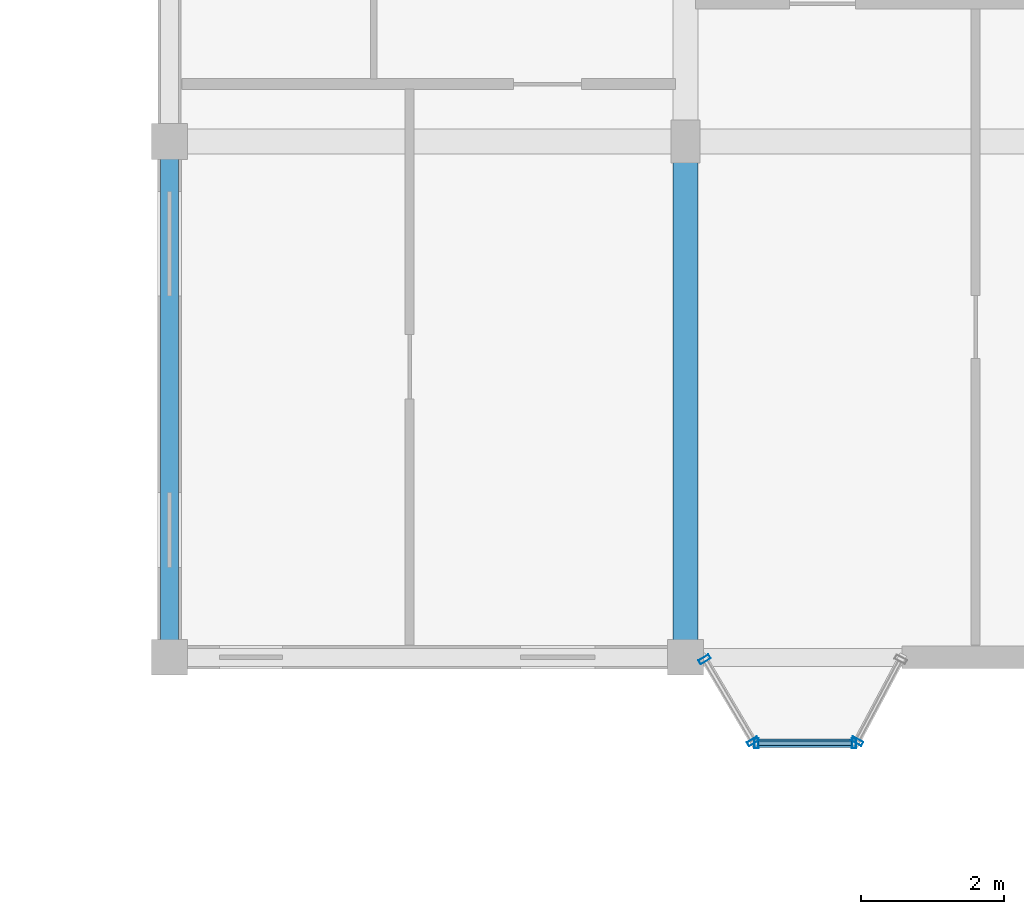
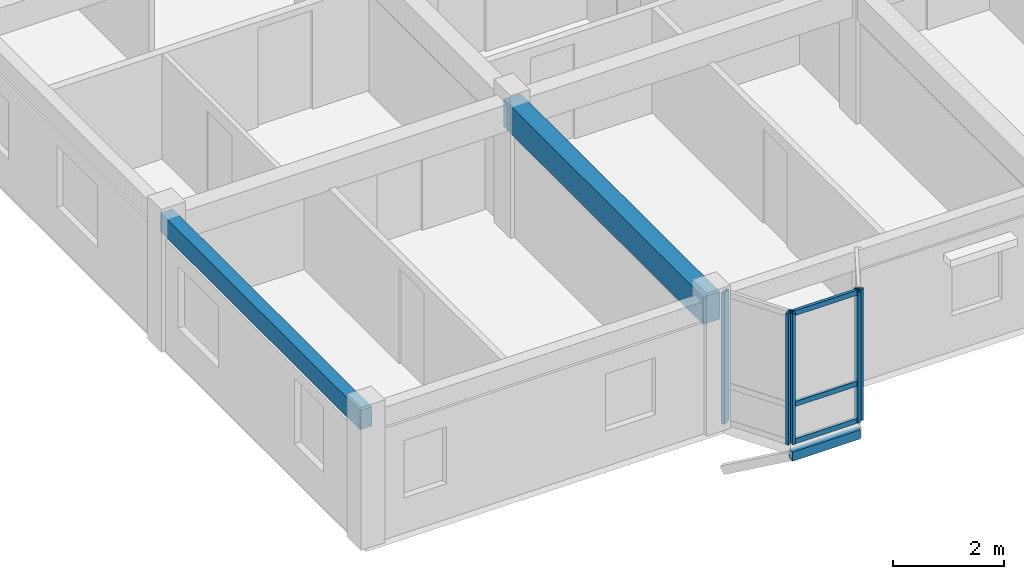
# One storey, part 28 of 70: 9 members, 2 beams, 3 elements without a shape of their own.
"""IFC4 building model written with IfcOpenShell, lengths in metres."""

from ifc_helpers import new_model, si_unit, direction, frame, origin, origin_2d, place, context, subcontext, project, spatial, rectangle, hollow_rectangle, extrude, material, layer, layer_set, material_profile, profile_set, type_object, element, aggregate, save


model = new_model("IFC4")

# Units and contexts
model_context = context("Model", 3, precision=1e-05, world=origin(), true_north=direction((0.0, 1.0)))
body_context = subcontext(model_context, "Body", "Model", "MODEL_VIEW")
ifc_project = project(units=[si_unit("LENGTHUNIT", "METRE"), si_unit("AREAUNIT", "SQUARE_METRE"), si_unit("VOLUMEUNIT", "CUBIC_METRE"), si_unit("PLANEANGLEUNIT", "RADIAN"), si_unit("MASSUNIT", "GRAM", prefix="KILO"), si_unit("THERMODYNAMICTEMPERATUREUNIT", "KELVIN"), si_unit("POWERUNIT", "WATT")], contexts=[model_context])

# Site, building, storey
site_placement = place(None, origin())
site = spatial("IfcSite", under=ifc_project, at=site_placement, CompositionType="ELEMENT")
building_placement = place(site_placement, origin())
building = spatial("IfcBuilding", under=site, at=building_placement, Name="Tavuni Mirador Residences", CompositionType="ELEMENT")
storey_placement = place(building_placement, frame((0.0, 0.0, 23.39990234375)))
storey = spatial("IfcBuildingStorey", under=building, at=storey_placement, Name="L07", CompositionType="ELEMENT", Elevation=23.39990234375)

# Beams
ifc_material_1 = material(Name="Precast concrete C40/50", Category="concrete")
ifc_material_profile_1 = material_profile(ifc_material_1, rectangle(XDim=0.35009765625, YDim=0.60009765625, at=origin_2d()), Name="PC 350x600", Category="concrete")
ifc_profile_set_1 = profile_set([ifc_material_profile_1], Name="Precast concrete C40/50")
beam_type_1 = type_object("IfcBeamType", Name="BT-B600", PredefinedType="BEAM", material=ifc_profile_set_1)
beam_1_placement = place(storey_placement, frame((18.0, 144.0, 2.585205078125), z_axis=(0.0, 1.0, 0.0), x_axis=(-1.0, 0.0, 0.0)))
element("IfcBeam", 1, at=beam_1_placement, inside=storey, type_object=beam_type_1, Name="BMY-BLK-C-L07-01-00", PredefinedType="BEAM", context=body_context, shape_type="SweptSolid", body=[
    extrude(rectangle(XDim=0.35009765625, YDim=0.60009765625, at=origin_2d()), origin(), (0.0, 0.0, 1.0), 7.199951171875),
])
ifc_material_profile_2 = material_profile(ifc_material_1, rectangle(XDim=0.25, YDim=0.419921875, at=origin_2d()), Name="PC 250x420", Category="concrete")
ifc_profile_set_2 = profile_set([ifc_material_profile_2], Name="Precast concrete C40/50")
beam_type_2 = type_object("IfcBeamType", Name="BT-SP420", PredefinedType="SPANDREL", material=ifc_profile_set_2)
beam_2_placement = place(storey_placement, frame((10.800048828125, 144.0, 2.675048828125), z_axis=(0.0, 1.0, 0.0), x_axis=(-1.0, 0.0, 0.0)))
element("IfcBeam", 2, at=beam_2_placement, inside=storey, type_object=beam_type_2, Name="BMY-BLK-C-L07-00-00", PredefinedType="SPANDREL", context=body_context, shape_type="SweptSolid", body=[
    extrude(rectangle(XDim=0.25, YDim=0.419921875, at=origin_2d()), origin(), (0.0, 0.0, 1.0), 7.199951171875),
])

# Curtain wall, members
ifc_material_2 = material(Name="Anodised aluminium", Category="aluminium")
ifc_layer_1 = layer(ifc_material_2, 0.1650390625, Name="Anodised aluminium", Category="aluminium")
ifc_layer_set_1 = layer_set([ifc_layer_1], Name="Anodised aluminium")
curtain_wall_type_1 = type_object("IfcCurtainWallType", Name="CWT-MIR-A", PredefinedType="NOTDEFINED", material=ifc_layer_set_1)
curtain_wall_1_placement = place(storey_placement, origin())
curtain_wall_1 = element("IfcCurtainWall", 3, at=curtain_wall_1_placement, inside=storey, type_object=curtain_wall_type_1, Name="CW-MIR-C-S1-L07-MF", PredefinedType="NOTDEFINED")
ifc_material_profile_3 = material_profile(ifc_material_2, hollow_rectangle(XDim=0.06005859375, YDim=0.139892578125, WallThickness=0.00390625, at=origin_2d()), Name="ALU 60x140x4.0", Category="aluminium")
ifc_profile_set_3 = profile_set([ifc_material_profile_3], Name="Anodised aluminium")
member_type_1 = type_object("IfcMemberType", Name="CWM-140", PredefinedType="MULLION", material=ifc_profile_set_3)
member_1_placement = place(storey_placement, frame((18.989990234375, 142.800048828125, 0.0), z_axis=(0.0, 0.0, 1.0), x_axis=(1.0, 0.0, 0.0)))
member_1 = element("IfcMember", 4, at=member_1_placement, type_object=member_type_1, Name="CW-01 mullion 1", PredefinedType="MULLION", context=body_context, shape_type="SweptSolid", body=[
    extrude(hollow_rectangle(XDim=0.06005859375, YDim=0.139892578125, WallThickness=0.00390625, at=origin_2d()), origin(), (0.0, 0.0, 1.0), 2.885009765625),
])
member_2_placement = place(storey_placement, frame((20.35009765625, 142.800048828125, 0.0), z_axis=(0.0, 0.0, 1.0), x_axis=(1.0, 0.0, 0.0)))
member_2 = element("IfcMember", 5, at=member_2_placement, type_object=member_type_1, Name="CW-01 mullion 2", PredefinedType="MULLION", context=body_context, shape_type="SweptSolid", body=[
    extrude(hollow_rectangle(XDim=0.06005859375, YDim=0.139892578125, WallThickness=0.00390625, at=origin_2d()), origin(), (0.0, 0.0, 1.0), 2.885009765625),
])

ifc_layer_2 = layer(ifc_material_2, 0.159912109375, Name="Anodised aluminium", Category="aluminium")
ifc_layer_set_2 = layer_set([ifc_layer_2], Name="Anodised aluminium")
curtain_wall_type_2 = type_object("IfcCurtainWallType", Name="CWT-MIR-D", PredefinedType="NOTDEFINED", material=ifc_layer_set_2)
curtain_wall_2_placement = place(storey_placement, origin())
curtain_wall_2 = element("IfcCurtainWall", 6, at=curtain_wall_2_placement, inside=storey, type_object=curtain_wall_type_2, Name="CW-MIR-C-S1-L07-M1", PredefinedType="NOTDEFINED")
ifc_material_profile_4 = material_profile(ifc_material_2, hollow_rectangle(XDim=0.06494140625, YDim=0.1650390625, WallThickness=0.00439453125, at=origin_2d()), Name="ALU 65x165x4.5", Category="aluminium")
ifc_profile_set_4 = profile_set([ifc_material_profile_4], Name="Anodised aluminium")
member_type_2 = type_object("IfcMemberType", Name="CWM-165", PredefinedType="MULLION", material=ifc_profile_set_4)
member_3_placement = place(storey_placement, frame((18.2666015625, 143.971923828125, 0.0), z_axis=(0.0, 0.0, 1.0), x_axis=(0.509212491254, -0.860640830284, 0.0)))
member_3 = element("IfcMember", 7, at=member_3_placement, type_object=member_type_2, Name="CW-04 mullion 1", PredefinedType="MULLION", context=body_context, shape_type="SweptSolid", body=[
    extrude(hollow_rectangle(XDim=0.06494140625, YDim=0.1650390625, WallThickness=0.00439453125, at=origin_2d()), origin(), (0.0, 0.0, 1.0), 2.885009765625),
])
member_4_placement = place(storey_placement, frame((18.943359375, 142.827880859375, 0.0), z_axis=(0.0, 0.0, 1.0), x_axis=(0.509212491254, -0.860640830284, 0.0)))
member_4 = element("IfcMember", 8, at=member_4_placement, type_object=member_type_2, Name="CW-04 mullion 2", PredefinedType="MULLION", context=body_context, shape_type="SweptSolid", body=[
    extrude(hollow_rectangle(XDim=0.06494140625, YDim=0.1650390625, WallThickness=0.00439453125, at=origin_2d()), origin(), (0.0, 0.0, 1.0), 2.885009765625),
])
aggregate(curtain_wall_2, [member_3, member_4])

# Curtain wall, member
ifc_layer_3 = layer(ifc_material_2, 0.14990234375, Name="Anodised aluminium", Category="aluminium")
ifc_layer_set_3 = layer_set([ifc_layer_3], Name="Anodised aluminium")
curtain_wall_type_3 = type_object("IfcCurtainWallType", Name="CWT-MIR-B", PredefinedType="NOTDEFINED", material=ifc_layer_set_3)
curtain_wall_3_placement = place(storey_placement, origin())
curtain_wall_3 = element("IfcCurtainWall", 9, at=curtain_wall_3_placement, inside=storey, type_object=curtain_wall_type_3, Name="CW-MIR-C-S1-L07-M2", PredefinedType="NOTDEFINED")
member_5_placement = place(storey_placement, frame((20.395263671875, 142.82861328125, 0.0), z_axis=(0.0, 0.0, 1.0), x_axis=(0.470588235296, 0.882352941175, 0.0)))
member_5 = element("IfcMember", 10, at=member_5_placement, type_object=member_type_2, Name="CW-02 mullion 1", PredefinedType="MULLION", context=body_context, shape_type="SweptSolid", body=[
    extrude(hollow_rectangle(XDim=0.06494140625, YDim=0.1650390625, WallThickness=0.00439453125, at=origin_2d()), origin(), (0.0, 0.0, 1.0), 2.885009765625),
])
aggregate(curtain_wall_3, [member_5])

# Member
ifc_material_profile_5 = material_profile(ifc_material_2, hollow_rectangle(XDim=0.06005859375, YDim=0.110107421875, WallThickness=0.00390625, at=origin_2d()), Name="ALU 60x110x4.0", Category="aluminium")
ifc_profile_set_5 = profile_set([ifc_material_profile_5], Name="Anodised aluminium")
member_type_3 = type_object("IfcMemberType", Name="CWT-110", PredefinedType="USERDEFINED", material=ifc_profile_set_5)
member_6_placement = place(storey_placement, frame((19.02001953125, 142.800048828125, 0.030029296875), z_axis=(1.0, 0.0, 0.0), x_axis=(0.0, 1.0, 0.0)))
member_6 = element("IfcMember", 11, at=member_6_placement, type_object=member_type_3, Name="CW-01 transom 1.1", ObjectType="TRANSOM", PredefinedType="USERDEFINED", context=body_context, shape_type="SweptSolid", body=[
    extrude(hollow_rectangle(XDim=0.06005859375, YDim=0.110107421875, WallThickness=0.00390625, at=origin_2d()), origin(), (0.0, 0.0, 1.0), 1.300048828125),
])

member_7_placement = place(storey_placement, frame((19.02001953125, 142.800048828125, 0.85009765625), z_axis=(1.0, 0.0, 0.0), x_axis=(0.0, 1.0, 0.0)))
member_7 = element("IfcMember", 12, at=member_7_placement, type_object=member_type_3, Name="CW-01 transom 1.2", ObjectType="TRANSOM", PredefinedType="USERDEFINED", context=body_context, shape_type="SweptSolid", body=[
    extrude(hollow_rectangle(XDim=0.06005859375, YDim=0.110107421875, WallThickness=0.00390625, at=origin_2d()), origin(), (0.0, 0.0, 1.0), 1.300048828125),
])

member_8_placement = place(storey_placement, frame((19.02001953125, 142.800048828125, 2.85498046875), z_axis=(1.0, 0.0, 0.0), x_axis=(0.0, 1.0, 0.0)))
member_8 = element("IfcMember", 13, at=member_8_placement, type_object=member_type_3, Name="CW-01 transom 1.3", ObjectType="TRANSOM", PredefinedType="USERDEFINED", context=body_context, shape_type="SweptSolid", body=[
    extrude(hollow_rectangle(XDim=0.06005859375, YDim=0.110107421875, WallThickness=0.00390625, at=origin_2d()), origin(), (0.0, 0.0, 1.0), 1.300048828125),
])

aggregate(curtain_wall_1, [member_1, member_2, member_6, member_7, member_8])

ifc_material_3 = material(Name="Structural steel S355", Category="steel")
ifc_material_profile_6 = material_profile(ifc_material_3, hollow_rectangle(XDim=0.1201171875, YDim=0.199951171875, WallThickness=0.010009765625, at=origin_2d()), Name="RHS 200x120x10.0", Category="steel")
ifc_profile_set_6 = profile_set([ifc_material_profile_6], Name="Structural steel S355")
member_type_4 = type_object("IfcMemberType", Name="MT-ST-RHS200", PredefinedType="STRUT", material=ifc_profile_set_6)
member_9_placement = place(storey_placement, frame((18.9599609375, 142.800048828125, -0.264892578125), z_axis=(1.0, 0.0, 0.0), x_axis=(0.0, 1.0, 0.0)))
element("IfcMember", 14, at=member_9_placement, inside=storey, type_object=member_type_4, Name="MRIM-MIR-C-S1-L07", PredefinedType="STRUT", context=body_context, shape_type="SweptSolid", body=[
    extrude(hollow_rectangle(XDim=0.1201171875, YDim=0.199951171875, WallThickness=0.010009765625, at=origin_2d()), origin(), (0.0, 0.0, 1.0), 1.419921875),
])

save(model, "model.ifc")
